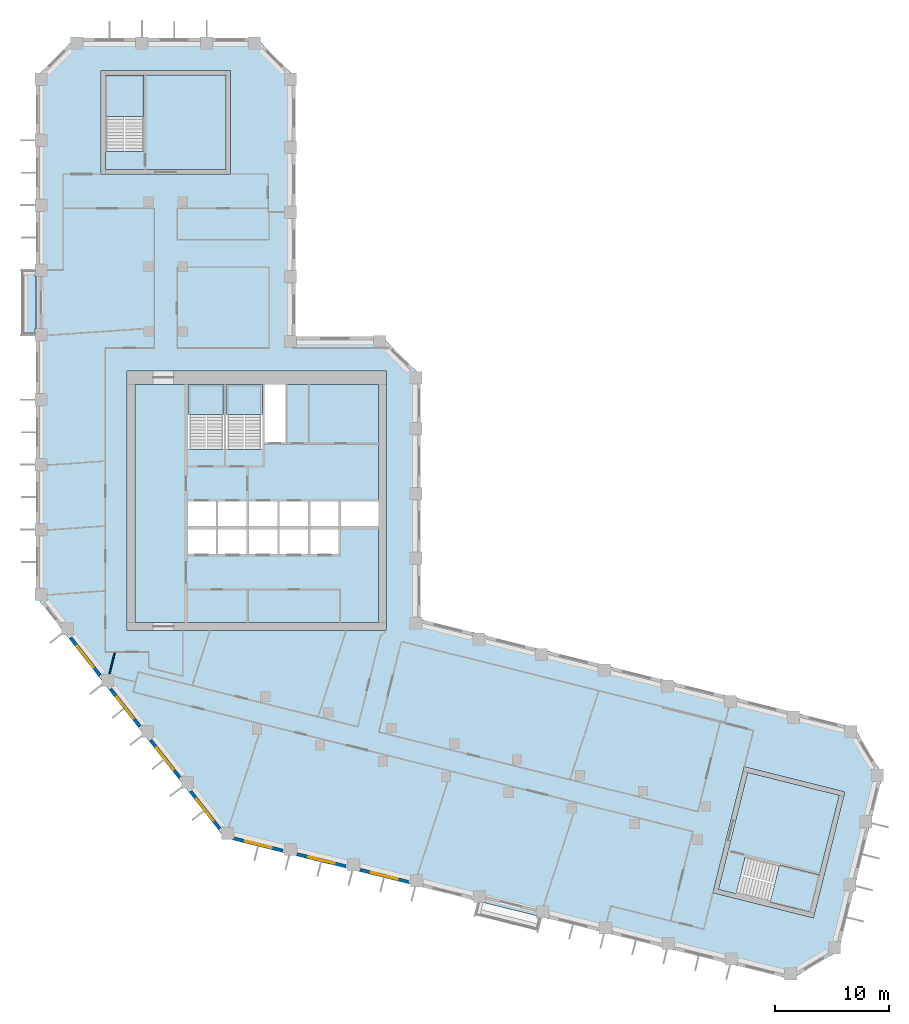
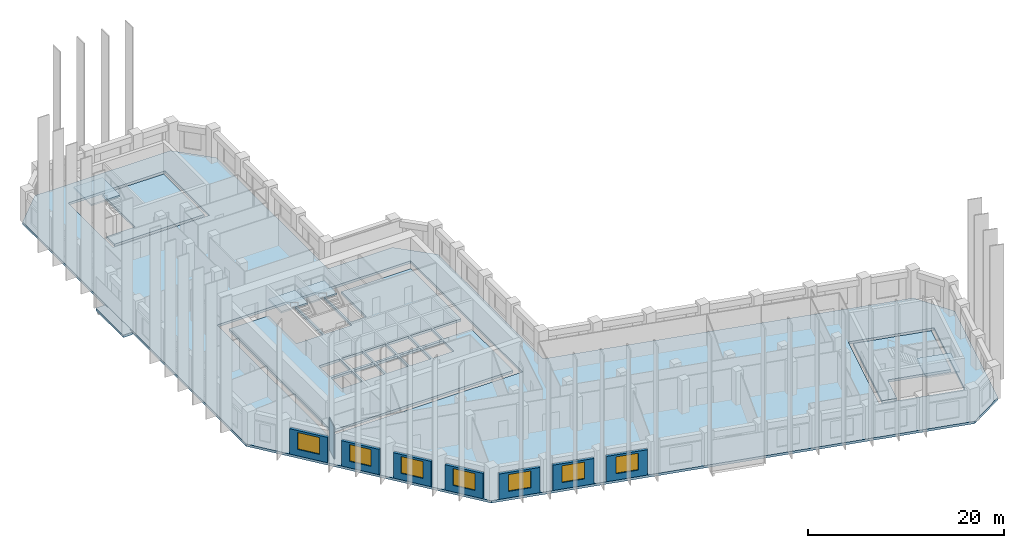
# One storey, part 2 of 10: 9 slabs, 8 walls, 7 windows, 7 openings, 4 elements without a shape of their own.
"""IFC4 building model written with IfcOpenShell, lengths in metres."""

from ifc_helpers import new_model, si_unit, direction, frame, frame_2d, origin, place, context, subcontext, project, spatial, polyline, rectangle, outline, extrude, material, layer, layer_set, type_object, element, fill, aggregate, save


model = new_model("IFC4")

# Units and contexts
model_context = context("Model", 3, precision=1e-05, world=origin(), true_north=direction((0.0, 1.0)))
body_context = subcontext(model_context, "Body", "Model", "MODEL_VIEW")
ifc_project = project(units=[si_unit("LENGTHUNIT", "METRE"), si_unit("AREAUNIT", "SQUARE_METRE"), si_unit("VOLUMEUNIT", "CUBIC_METRE"), si_unit("PLANEANGLEUNIT", "RADIAN"), si_unit("MASSUNIT", "GRAM", prefix="KILO")], contexts=[model_context])

# Site, building, storey
site_placement = place(None, origin())
site = spatial("IfcSite", under=ifc_project, at=site_placement, CompositionType="ELEMENT")
building_placement = place(site_placement, origin())
building = spatial("IfcBuilding", under=site, at=building_placement, Name="Meshkara Civic Tower", CompositionType="ELEMENT")
storey_placement = place(building_placement, frame((0.0, 0.0, 242.39990234375)))
storey = spatial("IfcBuildingStorey", under=building, at=storey_placement, Name="L55", CompositionType="ELEMENT", Elevation=242.39990234375)

# Slabs
ifc_material_1 = material(Name="Concrete C40", Category="concrete")
ifc_layer_1 = layer(ifc_material_1, 0.300048828125)
ifc_layer_set_1 = layer_set([ifc_layer_1], Name="BALCONY SLAB")
slab_type_1 = type_object("IfcSlabType", Name="BALCONY SLAB", PredefinedType="FLOOR", material=ifc_layer_set_1)
slab_1_placement = place(storey_placement, frame((0.0, 0.0, -0.2998046875)))
element("IfcSlab", 1, at=slab_1_placement, inside=storey, type_object=slab_type_1, Name="Balcony slab", PredefinedType="FLOOR", context=body_context, shape_type="SweptSolid", body=[
    extrude(outline(polyline([(-1.199951171875, 40.114990234375), (-1.199951171875, 45.695068359375), (-0.10009765625, 45.695068359375), (-0.10009765625, 45.205078125), (0.0, 45.205078125), (0.0, 40.60498046875), (-0.10009765625, 40.60498046875), (-0.10009765625, 40.114990234375), (-1.199951171875, 40.114990234375)])), origin(), (0.0, 0.0, 1.0), 0.2998046875),
])
ifc_material_2 = material(Name="Concrete C40/50", Category="concrete")
ifc_layer_2 = layer(ifc_material_2, 0.300048828125)
ifc_layer_set_2 = layer_set([ifc_layer_2], Name="Core floor slab 300 C40/50")
slab_type_2 = type_object("IfcSlabType", Name="Core floor slab 300 C40/50", PredefinedType="FLOOR", material=ifc_layer_set_2)
slab_2_placement = place(storey_placement, frame((0.0, 0.0, -0.2998046875)))
element("IfcSlab", 2, at=slab_2_placement, inside=storey, type_object=slab_type_2, Name="Core floor K", PredefinedType="FLOOR", context=body_context, shape_type="SweptSolid", body=[
    extrude(outline(polyline([(8.699951171875, 35.699951171875), (13.35009765625, 35.699951171875), (13.35009765625, 30.00146484375), (16.5, 30.00146484375), (16.5, 35.699951171875), (16.699951171875, 35.699951171875), (16.699951171875, 30.00146484375), (19.89990234375, 30.00146484375), (19.89990234375, 35.699951171875), (20.10009765625, 35.699951171875), (20.10009765625, 30.574951171875), (21.925048828125, 30.574951171875), (21.925048828125, 35.699951171875), (30.10009765625, 35.699951171875), (30.10009765625, 25.39990234375), (26.800048828125, 25.39990234375), (26.800048828125, 23.25), (30.10009765625, 23.25), (30.10009765625, 14.800048828125), (8.699951171875, 14.800048828125), (8.699951171875, 35.699951171875)]), holes=[polyline([(15.800048828125, 22.949951171875), (13.35009765625, 22.949951171875), (13.35009765625, 20.800048828125), (15.800048828125, 20.800048828125), (15.800048828125, 22.949951171875)]), polyline([(16.0, 22.949951171875), (16.0, 20.800048828125), (18.5, 20.800048828125), (18.5, 22.949951171875), (16.0, 22.949951171875)]), polyline([(18.699951171875, 22.949951171875), (18.699951171875, 20.800048828125), (21.199951171875, 20.800048828125), (21.199951171875, 22.949951171875), (18.699951171875, 22.949951171875)]), polyline([(15.800048828125, 23.25), (15.800048828125, 25.39990234375), (13.35009765625, 25.39990234375), (13.35009765625, 23.25), (15.800048828125, 23.25)]), polyline([(16.0, 25.39990234375), (16.0, 23.25), (18.5, 23.25), (18.5, 25.39990234375), (16.0, 25.39990234375)]), polyline([(23.89990234375, 20.800048828125), (23.89990234375, 22.949951171875), (21.39990234375, 22.949951171875), (21.39990234375, 20.800048828125), (23.89990234375, 20.800048828125)]), polyline([(24.10009765625, 20.800048828125), (26.60009765625, 20.800048828125), (26.60009765625, 22.949951171875), (24.10009765625, 22.949951171875), (24.10009765625, 20.800048828125)]), polyline([(18.699951171875, 25.39990234375), (18.699951171875, 23.25), (21.199951171875, 23.25), (21.199951171875, 25.39990234375), (18.699951171875, 25.39990234375)]), polyline([(21.39990234375, 23.25), (23.89990234375, 23.25), (23.89990234375, 25.39990234375), (21.39990234375, 25.39990234375), (21.39990234375, 23.25)]), polyline([(24.10009765625, 23.25), (26.60009765625, 23.25), (26.60009765625, 25.39990234375), (24.10009765625, 25.39990234375), (24.10009765625, 23.25)])]), origin(), (0.0, 0.0, 1.0), 0.2998046875),
])
slab_3_placement = place(storey_placement, frame((0.0, 0.0, -0.2998046875)))
element("IfcSlab", 3, at=slab_3_placement, inside=storey, type_object=slab_type_2, Name="Core floor EA", PredefinedType="FLOOR", context=body_context, shape_type="SweptSolid", body=[
    extrude(outline(polyline([(16.699951171875, 54.570068359375), (16.699951171875, 62.8701171875), (9.5, 62.8701171875), (9.5, 56.17138671875), (6.10009765625, 56.17138671875), (6.10009765625, 54.570068359375), (16.699951171875, 54.570068359375)])), origin(), (0.0, 0.0, 1.0), 0.2998046875),
])
slab_4_placement = place(storey_placement, frame((0.0, 0.0, -0.2998046875)))
element("IfcSlab", 4, at=slab_4_placement, inside=storey, type_object=slab_type_2, Name="Core floor EB", PredefinedType="FLOOR", context=body_context, shape_type="SweptSolid", body=[
    extrude(outline(polyline([(62.519775390625, 1.623291015625), (70.5732421875, -0.384765625), (68.83154296875, -7.370849609375), (62.33203125, -5.750244140625), (61.50927734375, -9.04931640625), (59.95556640625, -8.661865234375), (62.519775390625, 1.623291015625)])), origin(), (0.0, 0.0, 1.0), 0.2998046875),
])

# Stair, slab
ifc_material_3 = material(Name="Precast concrete C40/50", Category="concrete")
stair_type_1 = type_object("IfcStairType", Name="Exit stair half-turn 24 risers precast", PredefinedType="HALF_TURN_STAIR", material=ifc_material_3)
stair_1_placement = place(storey_placement, origin())
stair_1 = element("IfcStair", 5, at=stair_1_placement, inside=storey, type_object=stair_type_1, Name="L55 exit stair 1", PredefinedType="HALF_TURN_STAIR")
ifc_material_4 = material(Name="Precast concrete C40/50", Category="concrete")
ifc_layer_3 = layer(ifc_material_4, 0.199951171875)
ifc_layer_set_3 = layer_set([ifc_layer_3], Name="Exit stair landing 200")
slab_type_3 = type_object("IfcSlabType", Name="Exit stair landing 200", PredefinedType="LANDING", material=ifc_layer_set_3)
slab_5_placement = place(storey_placement, frame((0.0, 0.0, 1.900146484375)))
slab_5 = element("IfcSlab", 6, at=slab_5_placement, type_object=slab_type_3, Name="ST1 landing 1", PredefinedType="LANDING", context=body_context, shape_type="SweptSolid", body=[
    extrude(outline(polyline([(16.5, 33.07861328125), (16.5, 35.699951171875), (13.35009765625, 35.699951171875), (13.35009765625, 33.07861328125), (16.5, 33.07861328125)])), origin(), (0.0, 0.0, 1.0), 0.199951171875),
])
aggregate(stair_1, [slab_5])

stair_2_placement = place(storey_placement, origin())
stair_2 = element("IfcStair", 7, at=stair_2_placement, inside=storey, type_object=stair_type_1, Name="L55 exit stair 2", PredefinedType="HALF_TURN_STAIR")
slab_6_placement = place(storey_placement, frame((0.0, 0.0, 1.900146484375)))
slab_6 = element("IfcSlab", 8, at=slab_6_placement, type_object=slab_type_3, Name="ST2 landing 1", PredefinedType="LANDING", context=body_context, shape_type="SweptSolid", body=[
    extrude(outline(polyline([(19.89990234375, 33.07861328125), (19.89990234375, 35.699951171875), (16.699951171875, 35.699951171875), (16.699951171875, 33.07861328125), (19.89990234375, 33.07861328125)])), origin(), (0.0, 0.0, 1.0), 0.199951171875),
])
aggregate(stair_2, [slab_6])

ifc_material_5 = material(Name="Precast concrete C40/50", Category="concrete")
stair_type_2 = type_object("IfcStairType", Name="Exit stair half-turn 24 risers 1600 precast", PredefinedType="HALF_TURN_STAIR", material=ifc_material_5)
stair_3_placement = place(storey_placement, origin())
stair_3 = element("IfcStair", 9, at=stair_3_placement, inside=storey, type_object=stair_type_2, Name="L55 exit stair A from L50", PredefinedType="HALF_TURN_STAIR")
slab_7_placement = place(storey_placement, frame((0.0, 0.0, 1.900146484375)))
slab_7 = element("IfcSlab", 10, at=slab_7_placement, type_object=slab_type_3, Name="ESA4 landing 1", PredefinedType="LANDING", context=body_context, shape_type="SweptSolid", body=[
    extrude(outline(polyline([(9.5, 59.24853515625), (9.5, 62.8701171875), (6.10009765625, 62.8701171875), (6.10009765625, 59.24853515625), (9.5, 59.24853515625)])), origin(), (0.0, 0.0, 1.0), 0.199951171875),
])
aggregate(stair_3, [slab_7])

stair_4_placement = place(storey_placement, origin())
stair_4 = element("IfcStair", 11, at=stair_4_placement, inside=storey, type_object=stair_type_2, Name="L55 exit stair B from L50", PredefinedType="HALF_TURN_STAIR")
slab_8_placement = place(storey_placement, frame((0.0, 0.0, 1.900146484375)))
slab_8 = element("IfcSlab", 12, at=slab_8_placement, type_object=slab_type_3, Name="ESB4 landing 1", PredefinedType="LANDING", context=body_context, shape_type="SweptSolid", body=[
    extrude(outline(polyline([(64.49462890625, -9.794677734375), (68.0087890625, -10.67138671875), (68.83203125, -7.371337890625), (65.318115234375, -6.49462890625), (64.49462890625, -9.794677734375)])), origin(), (0.0, 0.0, 1.0), 0.199951171875),
])
aggregate(stair_4, [slab_8])

# Slab
ifc_material_6 = material(Name="Concrete C50", Category="concrete")
ifc_layer_4 = layer(ifc_material_6, 0.300048828125)
ifc_layer_set_4 = layer_set([ifc_layer_4], Name="Post-tensioned flat slab 300 C50")
slab_type_4 = type_object("IfcSlabType", Name="Post-tensioned flat slab 300 C50", PredefinedType="FLOOR", material=ifc_layer_set_4)
slab_9_placement = place(storey_placement, frame((0.0, 0.0, -0.2998046875)))
element("IfcSlab", 13, at=slab_9_placement, inside=storey, type_object=slab_type_4, Name="Post-tensioned flat slab L55", PredefinedType="FLOOR", context=body_context, shape_type="SweptSolid", body=[
    extrude(outline(polyline([(70.513916015625, -14.055908203125), (66.367919921875, -16.547119140625), (16.592041015625, -4.136962890625), (0.0, 17.10009765625), (0.0, 62.699951171875), (3.419921875, 66.1201171875), (19.3798828125, 66.1201171875), (22.800048828125, 62.699951171875), (22.800048828125, 39.89990234375), (30.3798828125, 39.89990234375), (33.800048828125, 36.47998046875), (33.800048828125, 15.071044921875), (71.884033203125, 5.574951171875), (74.375, 1.429931640625), (70.513916015625, -14.055908203125)]), holes=[polyline([(68.300048828125, -11.155029296875), (71.05810546875, -0.093017578125), (62.22802734375, 2.10791015625), (59.470947265625, -8.952880859375), (68.300048828125, -11.155029296875)]), polyline([(8.0, 14.10009765625), (30.800048828125, 14.10009765625), (30.800048828125, 36.89990234375), (8.0, 36.89990234375), (8.0, 14.10009765625)]), polyline([(5.699951171875, 63.27001953125), (5.699951171875, 54.169921875), (17.10009765625, 54.169921875), (17.10009765625, 63.27001953125), (5.699951171875, 63.27001953125)])]), origin(), (0.0, 0.0, 1.0), 0.2998046875),
])

# Wall, opening, window
ifc_material_7 = material(Name="Insulated infill panel with bronze anodised aluminium cladding", Category="aluminium")
ifc_layer_5 = layer(ifc_material_7, 0.300048828125)
ifc_layer_set_5 = layer_set([ifc_layer_5], Name="EXTERNAL INFILL WALL 300")
wall_type_1 = type_object("IfcWallType", Name="EXTERNAL INFILL WALL 300", PredefinedType="SOLIDWALL", material=ifc_layer_set_5)
wall_1_placement = place(storey_placement, frame((3.052978515625, 13.43603515625, 0.0), z_axis=(0.0, 0.0, 1.0), x_axis=(0.615699893917, -0.787980736205, 0.0)))
wall_1 = element("IfcWall", 14, at=wall_1_placement, inside=storey, type_object=wall_type_1, Name="External wall", PredefinedType="SOLIDWALL", context=body_context, shape_type="SweptSolid", body=[
    extrude(rectangle(XDim=4.156494140625, YDim=0.300048828125, at=frame_2d((2.078125, 0.0))), origin(), (0.0, 0.0, 1.0), 3.150146484375),
])
opening_1_placement = place(wall_1_placement, frame((0.8779296875, 0.0, 0.800048828125)))
opening_1 = element("IfcOpeningElement", 15, at=opening_1_placement, cuts=wall_1, Name="Opening W7", PredefinedType="OPENING", context=body_context, shape_type="SweptSolid", body=[
    extrude(rectangle(XDim=2.39990234375, YDim=2.10009765625, at=frame_2d((1.199951171875, 1.050048828125))), frame((0.0, 0.159912109375, 0.0), z_axis=(0.0, -1.0, 0.0), x_axis=(1.0, 0.0, 0.0)), (0.0, 0.0, 1.0), 0.320068359375),
])
ifc_material_8 = material(Name="Tinted double glazing", Category="glass")
window_type = type_object("IfcWindowType", Name="WINDOW 2400x2100", PartitioningType="DOUBLE_PANEL_VERTICAL", PredefinedType="WINDOW", material=ifc_material_8)
window_1_placement = place(opening_1_placement, origin())
window_1 = element("IfcWindow", 16, at=window_1_placement, inside=storey, type_object=window_type, Name="Window", OverallHeight=2.10009765625, OverallWidth=2.39990234375, PartitioningType="DOUBLE_PANEL_VERTICAL", PredefinedType="WINDOW", context=body_context, shape_type="SweptSolid", body=[
    extrude(rectangle(XDim=2.39990234375, YDim=2.10009765625, at=frame_2d((1.199951171875, 1.050048828125))), frame((0.0, 0.030029296875, 0.0), z_axis=(0.0, -1.0, 0.0), x_axis=(1.0, 0.0, 0.0)), (0.0, 0.0, 1.0), 0.06005859375),
])
fill(opening_1, window_1)

wall_2_placement = place(storey_placement, frame((6.56201171875, 8.944091796875, 0.0), z_axis=(0.0, 0.0, 1.0), x_axis=(0.615699893917, -0.787980736205, 0.0)))
wall_2 = element("IfcWall", 17, at=wall_2_placement, inside=storey, type_object=wall_type_1, Name="External wall", PredefinedType="SOLIDWALL", context=body_context, shape_type="SweptSolid", body=[
    extrude(rectangle(XDim=4.156494140625, YDim=0.300048828125, at=frame_2d((2.078125, 0.0))), origin(), (0.0, 0.0, 1.0), 3.150146484375),
])
opening_2_placement = place(wall_2_placement, frame((0.8779296875, 0.0, 0.800048828125)))
opening_2 = element("IfcOpeningElement", 18, at=opening_2_placement, cuts=wall_2, Name="Opening W7", PredefinedType="OPENING", context=body_context, shape_type="SweptSolid", body=[
    extrude(rectangle(XDim=2.39990234375, YDim=2.10009765625, at=frame_2d((1.199951171875, 1.050048828125))), frame((0.0, 0.159912109375, 0.0), z_axis=(0.0, -1.0, 0.0), x_axis=(1.0, 0.0, 0.0)), (0.0, 0.0, 1.0), 0.320068359375),
])
window_2_placement = place(opening_2_placement, origin())
window_2 = element("IfcWindow", 19, at=window_2_placement, inside=storey, type_object=window_type, Name="Window", OverallHeight=2.10009765625, OverallWidth=2.39990234375, PartitioningType="DOUBLE_PANEL_VERTICAL", PredefinedType="WINDOW", context=body_context, shape_type="SweptSolid", body=[
    extrude(rectangle(XDim=2.39990234375, YDim=2.10009765625, at=frame_2d((1.199951171875, 1.050048828125))), frame((0.0, 0.030029296875, 0.0), z_axis=(0.0, -1.0, 0.0), x_axis=(1.0, 0.0, 0.0)), (0.0, 0.0, 1.0), 0.06005859375),
])
fill(opening_2, window_2)

wall_3_placement = place(storey_placement, frame((10.072021484375, 4.451904296875, 0.0), z_axis=(0.0, 0.0, 1.0), x_axis=(0.615660006568, -0.788011901124, 0.0)))
wall_3 = element("IfcWall", 20, at=wall_3_placement, inside=storey, type_object=wall_type_1, Name="External wall", PredefinedType="SOLIDWALL", context=body_context, shape_type="SweptSolid", body=[
    extrude(rectangle(XDim=4.15478515625, YDim=0.300048828125, at=frame_2d((2.077392578125, 0.0))), origin(), (0.0, 0.0, 1.0), 3.150146484375),
])
opening_3_placement = place(wall_3_placement, frame((0.8779296875, 0.0, 0.800048828125)))
opening_3 = element("IfcOpeningElement", 21, at=opening_3_placement, cuts=wall_3, Name="Opening W7", PredefinedType="OPENING", context=body_context, shape_type="SweptSolid", body=[
    extrude(rectangle(XDim=2.39990234375, YDim=2.10009765625, at=frame_2d((1.199951171875, 1.050048828125))), frame((0.0, 0.159912109375, 0.0), z_axis=(0.0, -1.0, 0.0), x_axis=(1.0, 0.0, 0.0)), (0.0, 0.0, 1.0), 0.320068359375),
])
window_3_placement = place(opening_3_placement, origin())
window_3 = element("IfcWindow", 22, at=window_3_placement, inside=storey, type_object=window_type, Name="Window", OverallHeight=2.10009765625, OverallWidth=2.39990234375, PartitioningType="DOUBLE_PANEL_VERTICAL", PredefinedType="WINDOW", context=body_context, shape_type="SweptSolid", body=[
    extrude(rectangle(XDim=2.39990234375, YDim=2.10009765625, at=frame_2d((1.199951171875, 1.050048828125))), frame((0.0, 0.030029296875, 0.0), z_axis=(0.0, -1.0, 0.0), x_axis=(1.0, 0.0, 0.0)), (0.0, 0.0, 1.0), 0.06005859375),
])
fill(opening_3, window_3)

wall_4_placement = place(storey_placement, frame((13.5810546875, -0.0390625, 0.0), z_axis=(0.0, 0.0, 1.0), x_axis=(0.615545986363, -0.788100969846, 0.0)))
wall_4 = element("IfcWall", 23, at=wall_4_placement, inside=storey, type_object=wall_type_1, Name="External wall", PredefinedType="SOLIDWALL", context=body_context, shape_type="SweptSolid", body=[
    extrude(rectangle(XDim=4.155517578125, YDim=0.300048828125, at=frame_2d((2.07763671875, 0.0))), origin(), (0.0, 0.0, 1.0), 3.150146484375),
])
opening_4_placement = place(wall_4_placement, frame((0.8779296875, 0.0, 0.800048828125)))
opening_4 = element("IfcOpeningElement", 24, at=opening_4_placement, cuts=wall_4, Name="Opening W7", PredefinedType="OPENING", context=body_context, shape_type="SweptSolid", body=[
    extrude(rectangle(XDim=2.39990234375, YDim=2.10009765625, at=frame_2d((1.199951171875, 1.050048828125))), frame((0.0, 0.159912109375, 0.0), z_axis=(0.0, -1.0, 0.0), x_axis=(1.0, 0.0, 0.0)), (0.0, 0.0, 1.0), 0.320068359375),
])
window_4_placement = place(opening_4_placement, origin())
window_4 = element("IfcWindow", 25, at=window_4_placement, inside=storey, type_object=window_type, Name="Window", OverallHeight=2.10009765625, OverallWidth=2.39990234375, PartitioningType="DOUBLE_PANEL_VERTICAL", PredefinedType="WINDOW", context=body_context, shape_type="SweptSolid", body=[
    extrude(rectangle(XDim=2.39990234375, YDim=2.10009765625, at=frame_2d((1.199951171875, 1.050048828125))), frame((0.0, 0.030029296875, 0.0), z_axis=(0.0, -1.0, 0.0), x_axis=(1.0, 0.0, 0.0)), (0.0, 0.0, 1.0), 0.06005859375),
])
fill(opening_4, window_4)

wall_5_placement = place(storey_placement, frame((17.425048828125, -4.18994140625, 0.0), z_axis=(0.0, 0.0, 1.0), x_axis=(0.970270592847, -0.242022677978, 0.0)))
wall_5 = element("IfcWall", 26, at=wall_5_placement, inside=storey, type_object=wall_type_1, Name="External wall", PredefinedType="SOLIDWALL", context=body_context, shape_type="SweptSolid", body=[
    extrude(rectangle(XDim=4.367919921875, YDim=0.300048828125, at=frame_2d((2.18408203125, 0.0))), origin(), (0.0, 0.0, 1.0), 3.150146484375),
])
opening_5_placement = place(wall_5_placement, frame((0.98291015625, 0.0, 0.800048828125)))
opening_5 = element("IfcOpeningElement", 27, at=opening_5_placement, cuts=wall_5, Name="Opening W7", PredefinedType="OPENING", context=body_context, shape_type="SweptSolid", body=[
    extrude(rectangle(XDim=2.39990234375, YDim=2.10009765625, at=frame_2d((1.199951171875, 1.050048828125))), frame((0.0, 0.159912109375, 0.0), z_axis=(0.0, -1.0, 0.0), x_axis=(1.0, 0.0, 0.0)), (0.0, 0.0, 1.0), 0.320068359375),
])
window_5_placement = place(opening_5_placement, origin())
window_5 = element("IfcWindow", 28, at=window_5_placement, inside=storey, type_object=window_type, Name="Window", OverallHeight=2.10009765625, OverallWidth=2.39990234375, PartitioningType="DOUBLE_PANEL_VERTICAL", PredefinedType="WINDOW", context=body_context, shape_type="SweptSolid", body=[
    extrude(rectangle(XDim=2.39990234375, YDim=2.10009765625, at=frame_2d((1.199951171875, 1.050048828125))), frame((0.0, 0.030029296875, 0.0), z_axis=(0.0, -1.0, 0.0), x_axis=(1.0, 0.0, 0.0)), (0.0, 0.0, 1.0), 0.06005859375),
])
fill(opening_5, window_5)

wall_6_placement = place(storey_placement, frame((22.9560546875, -5.569091796875, 0.0), z_axis=(0.0, 0.0, 1.0), x_axis=(0.970323116569, -0.241812012628, 0.0)))
wall_6 = element("IfcWall", 29, at=wall_6_placement, inside=storey, type_object=wall_type_1, Name="External wall", PredefinedType="SOLIDWALL", context=body_context, shape_type="SweptSolid", body=[
    extrude(rectangle(XDim=4.36669921875, YDim=0.300048828125, at=frame_2d((2.183349609375, 0.0))), origin(), (0.0, 0.0, 1.0), 3.150146484375),
])
opening_6_placement = place(wall_6_placement, frame((0.98291015625, 0.0, 0.800048828125)))
opening_6 = element("IfcOpeningElement", 30, at=opening_6_placement, cuts=wall_6, Name="Opening W7", PredefinedType="OPENING", context=body_context, shape_type="SweptSolid", body=[
    extrude(rectangle(XDim=2.39990234375, YDim=2.10009765625, at=frame_2d((1.199951171875, 1.050048828125))), frame((0.0, 0.159912109375, 0.0), z_axis=(0.0, -1.0, 0.0), x_axis=(1.0, 0.0, 0.0)), (0.0, 0.0, 1.0), 0.320068359375),
])
window_6_placement = place(opening_6_placement, origin())
window_6 = element("IfcWindow", 31, at=window_6_placement, inside=storey, type_object=window_type, Name="Window", OverallHeight=2.10009765625, OverallWidth=2.39990234375, PartitioningType="DOUBLE_PANEL_VERTICAL", PredefinedType="WINDOW", context=body_context, shape_type="SweptSolid", body=[
    extrude(rectangle(XDim=2.39990234375, YDim=2.10009765625, at=frame_2d((1.199951171875, 1.050048828125))), frame((0.0, 0.030029296875, 0.0), z_axis=(0.0, -1.0, 0.0), x_axis=(1.0, 0.0, 0.0)), (0.0, 0.0, 1.0), 0.06005859375),
])
fill(opening_6, window_6)

wall_7_placement = place(storey_placement, frame((28.486083984375, -6.947998046875, 0.0), z_axis=(0.0, 0.0, 1.0), x_axis=(0.970336189295, -0.241759549438, 0.0)))
wall_7 = element("IfcWall", 32, at=wall_7_placement, inside=storey, type_object=wall_type_1, Name="External wall", PredefinedType="SOLIDWALL", context=body_context, shape_type="SweptSolid", body=[
    extrude(rectangle(XDim=4.36767578125, YDim=0.300048828125, at=frame_2d((2.183837890625, 0.0))), origin(), (0.0, 0.0, 1.0), 3.150146484375),
])
opening_7_placement = place(wall_7_placement, frame((0.98291015625, 0.0, 0.800048828125)))
opening_7 = element("IfcOpeningElement", 33, at=opening_7_placement, cuts=wall_7, Name="Opening W7", PredefinedType="OPENING", context=body_context, shape_type="SweptSolid", body=[
    extrude(rectangle(XDim=2.39990234375, YDim=2.10009765625, at=frame_2d((1.199951171875, 1.050048828125))), frame((0.0, 0.159912109375, 0.0), z_axis=(0.0, -1.0, 0.0), x_axis=(1.0, 0.0, 0.0)), (0.0, 0.0, 1.0), 0.320068359375),
])
window_7_placement = place(opening_7_placement, origin())
window_7 = element("IfcWindow", 34, at=window_7_placement, inside=storey, type_object=window_type, Name="Window", OverallHeight=2.10009765625, OverallWidth=2.39990234375, PartitioningType="DOUBLE_PANEL_VERTICAL", PredefinedType="WINDOW", context=body_context, shape_type="SweptSolid", body=[
    extrude(rectangle(XDim=2.39990234375, YDim=2.10009765625, at=frame_2d((1.199951171875, 1.050048828125))), frame((0.0, 0.030029296875, 0.0), z_axis=(0.0, -1.0, 0.0), x_axis=(1.0, 0.0, 0.0)), (0.0, 0.0, 1.0), 0.06005859375),
])
fill(opening_7, window_7)

# Wall
ifc_material_9 = material(Name="Partition 100")
ifc_layer_6 = layer(ifc_material_9, 0.10009765625)
ifc_layer_set_6 = layer_set([ifc_layer_6], Name="Partition 100")
wall_type_2 = type_object("IfcWallType", Name="Partition 100", PredefinedType="PARTITIONING", material=ifc_layer_set_6)
wall_8_placement = place(storey_placement, frame((6.922119140625, 12.137939453125, 0.0), z_axis=(0.0, 0.0, 1.0), x_axis=(-0.242264600824, -0.970210215978, 0.0)))
element("IfcWall", 35, at=wall_8_placement, inside=storey, type_object=wall_type_2, Name="L55-W043", PredefinedType="PARTITIONING", context=body_context, shape_type="SweptSolid", body=[
    extrude(rectangle(XDim=1.90771484375, YDim=0.10009765625, at=frame_2d((0.953857421875, 0.0))), origin(), (0.0, 0.0, 1.0), 3.900146484375),
])

save(model, "model.ifc")
